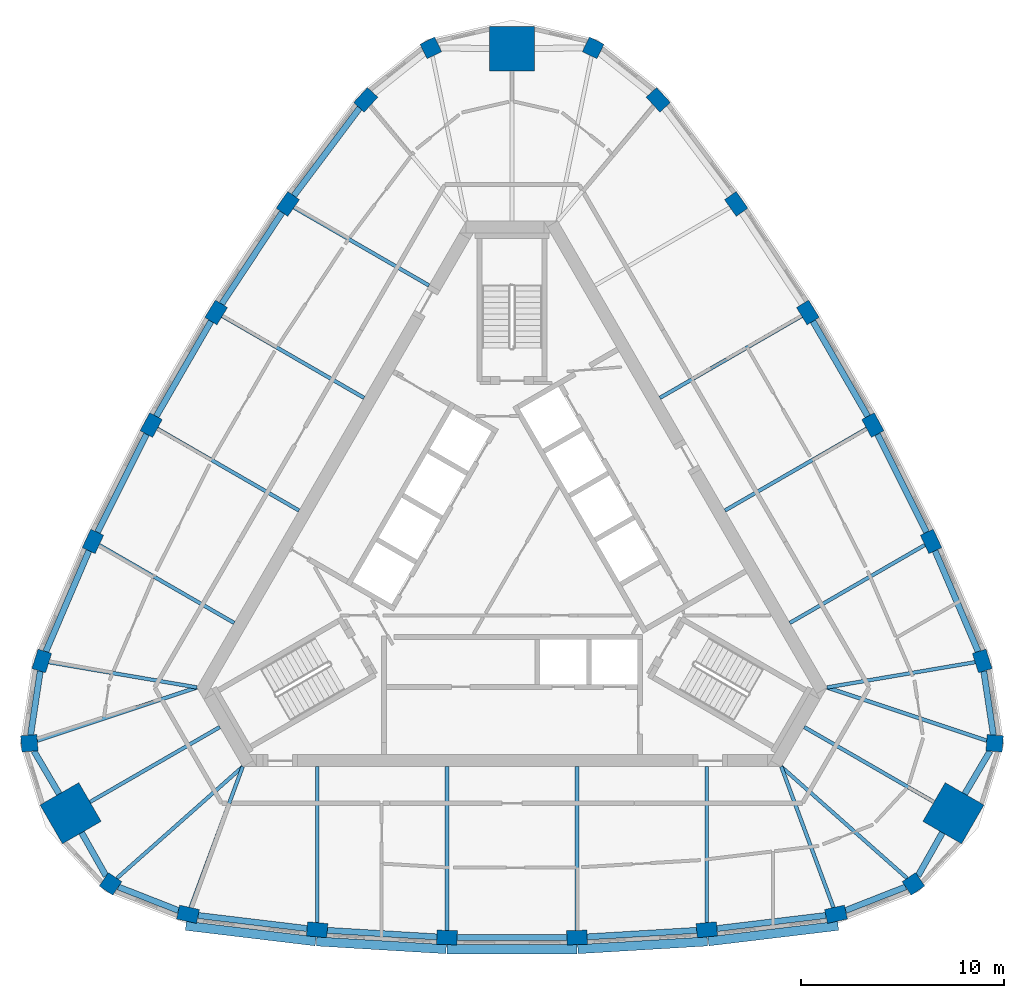
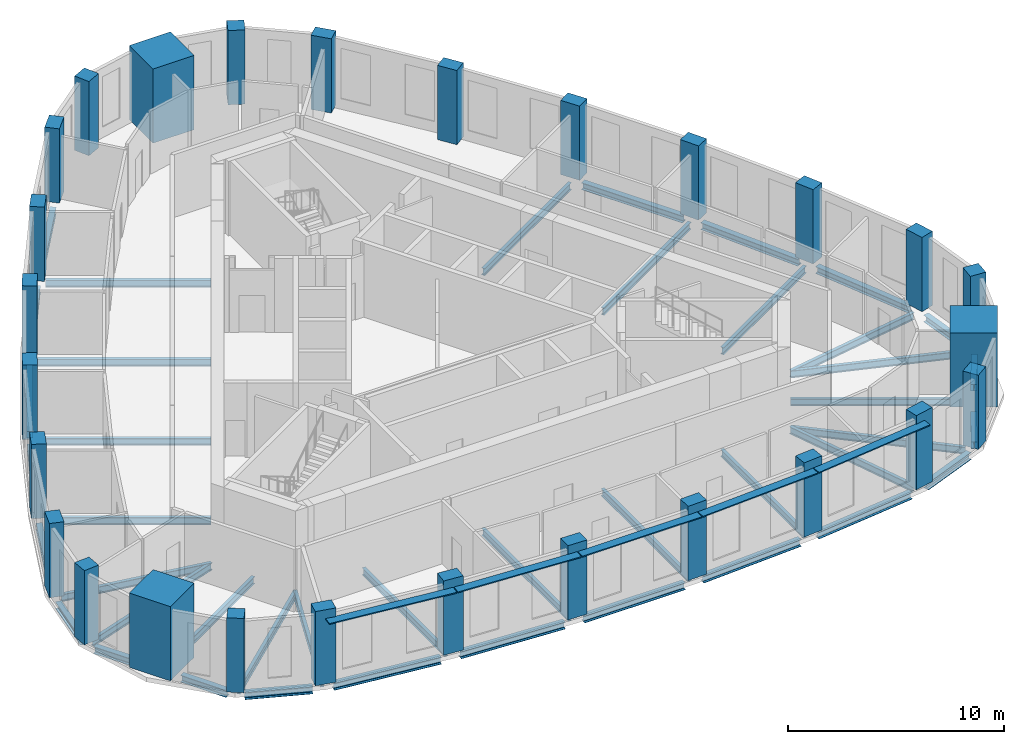
# One storey, part 1 of 10: 42 beams, 27 columns, 5 members.
"""IFC4 building model written with IfcOpenShell, lengths in metres."""

from ifc_helpers import new_model, si_unit, direction, frame, origin, origin_2d, place, context, subcontext, project, spatial, rectangle, i_section, extrude, material, material_profile, profile_set, type_object, element, save


model = new_model("IFC4")

# Units and contexts
model_context = context("Model", 3, precision=1e-05, world=origin(), true_north=direction((0.0, 1.0)))
body_context = subcontext(model_context, "Body", "Model", "MODEL_VIEW")
ifc_project = project(units=[si_unit("LENGTHUNIT", "METRE"), si_unit("AREAUNIT", "SQUARE_METRE"), si_unit("VOLUMEUNIT", "CUBIC_METRE"), si_unit("PLANEANGLEUNIT", "RADIAN"), si_unit("MASSUNIT", "GRAM", prefix="KILO")], contexts=[model_context])

# Site, building, storey
site_placement = place(None, origin())
site = spatial("IfcSite", under=ifc_project, at=site_placement, CompositionType="ELEMENT")
building_placement = place(site_placement, origin())
building = spatial("IfcBuilding", under=site, at=building_placement, Name="Mestral Congress Tower", CompositionType="ELEMENT")
storey_placement = place(building_placement, frame((0.0, 0.0, 288.0)))
storey = spatial("IfcBuildingStorey", under=building, at=storey_placement, Name="L67", CompositionType="ELEMENT", Elevation=288.0)

# Columns
ifc_material_1 = material(Name="Concrete C60/75", Category="concrete")
ifc_material_profile_1 = material_profile(ifc_material_1, rectangle(XDim=1.0, YDim=0.699951171875, at=origin_2d()), Name="RC 1000x700")
ifc_profile_set_1 = profile_set([ifc_material_profile_1], Name="Concrete C60/75")
column_type_1 = type_object("IfcColumnType", Name="Column RC 1000x700 C60/75", PredefinedType="COLUMN", material=ifc_profile_set_1)
for number, where, z_axis, x_axis, name in (
    (1, (-15.940673828125, -17.511962890625, 0.0), (0.0, 0.0, 1.0), (0.976233636503, -0.216720758026, 0.0), "COL-L67-C5-S00"),
    (2, (-9.587158203125, -18.273681640625, 0.0), (0.0, 0.0, 1.0), (0.995997816519, -0.089377567035, 0.0), "COL-L67-C5-S01"),
    (3, (-3.199462890625, -18.6552734375, 0.0), (0.0, 0.0, 1.0), (0.999555031657, -0.029828487872, 0.0), "COL-L67-C5-S02"),
    (4, (3.199462890625, -18.6552734375, 0.0), (0.0, 0.0, 1.0), (0.999555031657, 0.029828487872, 0.0), "COL-L67-C5-S03"),
    (5, (9.587158203125, -18.273681640625, 0.0), (0.0, 0.0, 1.0), (0.995997816519, 0.089377567035, 0.0), "COL-L67-C5-S04"),
    (6, (15.940673828125, -17.511962890625, 0.0), (0.0, 0.0, 1.0), (0.976233636503, 0.216720758026, 0.0), "COL-L67-C5-S05"),
    (7, (23.135986328125, -5.049072265625, 0.0), (0.0, 0.0, 1.0), (-0.300431136274, 0.953803508254, 0.0), "COL-L67-C5-E00"),
    (8, (20.618896484375, 0.833984375, 0.0), (0.0, 0.0, 1.0), (-0.420595664679, 0.907248194737, 0.0), "COL-L67-C5-E01"),
    (9, (17.755615234375, 6.556640625, 0.0), (0.0, 0.0, 1.0), (-0.473945287575, 0.880554293832, 0.0), "COL-L67-C5-E02"),
    (10, (14.55615234375, 12.098388671875, 0.0), (0.0, 0.0, 1.0), (-0.525609744083, 0.850725805959, 0.0), "COL-L67-C5-E03"),
    (11, (11.031982421875, 17.439697265625, 0.0), (0.0, 0.0, 1.0), (-0.57540215184, 0.817870627702, 0.0), "COL-L67-C5-E04"),
    (12, (7.1953125, 22.56103515625, 0.0), (0.0, 0.0, 1.0), (-0.67580250023, 0.737082750228, 0.0), "COL-L67-C5-E05"),
    (13, (-7.1953125, 22.56103515625, 0.0), (0.0, 0.0, 1.0), (-0.67580250023, -0.737082750228, 0.0), "COL-L67-C5-W00"),
    (14, (-11.031982421875, 17.439697265625, 0.0), (0.0, 0.0, 1.0), (-0.57540215184, -0.817870627702, 0.0), "COL-L67-C5-W01"),
    (15, (-14.55615234375, 12.098388671875, 0.0), (0.0, 0.0, 1.0), (-0.525609744083, -0.850725805959, 0.0), "COL-L67-C5-W02"),
    (16, (-17.755615234375, 6.556640625, 0.0), (0.0, 0.0, 1.0), (-0.473945287575, -0.880554293832, 0.0), "COL-L67-C5-W03"),
    (17, (-20.618896484375, 0.833984375, 0.0), (0.0, 0.0, 1.0), (-0.420595664679, -0.907248194737, 0.0), "COL-L67-C5-W04"),
    (18, (-23.135986328125, -5.049072265625, 0.0), (0.0, 0.0, 1.0), (-0.300431136274, -0.953803508254, 0.0), "COL-L67-C5-W05"),
):
    element("IfcColumn", number, at=place(storey_placement, frame(where, z_axis=z_axis, x_axis=x_axis)), inside=storey, type_object=column_type_1, Name=name, PredefinedType="COLUMN", context=body_context, shape_type="SweptSolid", body=[
        extrude(rectangle(XDim=1.0, YDim=0.699951171875, at=origin_2d()), origin(), (0.0, 0.0, 1.0), 4.199951171875),
    ])
ifc_material_profile_2 = material_profile(ifc_material_1, rectangle(XDim=0.800048828125, YDim=0.800048828125, at=origin_2d()), Name="RC 800x800")
ifc_profile_set_2 = profile_set([ifc_material_profile_2], Name="Concrete C60/75")
column_type_2 = type_object("IfcColumnType", Name="Column RC 800x800 C60/75", PredefinedType="COLUMN", material=ifc_profile_set_2)
for number, where, z_axis, x_axis, name in (
    (19, (19.75439453125, -16.0166015625, 0.0), (0.0, 0.0, 1.0), (0.826362775296, 0.563138139008, 0.0), "COL-L67-C5-SE1"),
    (20, (23.748046875, -9.099609375, 0.0), (0.0, 0.0, 1.0), (0.074510546573, 0.997220225652, 0.0), "COL-L67-C5-SE3"),
    (21, (3.993408203125, 25.1162109375, 0.0), (0.0, 0.0, 1.0), (-0.900873321869, 0.434082086644, 0.0), "COL-L67-C5-N1"),
    (22, (-3.993408203125, 25.1162109375, 0.0), (0.0, 0.0, 1.0), (-0.900873321869, -0.434082086644, 0.0), "COL-L67-C5-N3"),
    (23, (-23.748046875, -9.099609375, 0.0), (0.0, 0.0, 1.0), (0.074510546573, -0.997220225652, 0.0), "COL-L67-C5-SW1"),
    (24, (-19.75439453125, -16.0166015625, 0.0), (0.0, 0.0, 1.0), (0.826362775296, -0.563138139008, 0.0), "COL-L67-C5-SW3"),
):
    element("IfcColumn", number, at=place(storey_placement, frame(where, z_axis=z_axis, x_axis=x_axis)), inside=storey, type_object=column_type_2, Name=name, PredefinedType="COLUMN", context=body_context, shape_type="SweptSolid", body=[
        extrude(rectangle(XDim=0.800048828125, YDim=0.800048828125, at=origin_2d()), origin(), (0.0, 0.0, 1.0), 4.199951171875),
    ])
ifc_material_profile_3 = material_profile(ifc_material_1, rectangle(XDim=2.199951171875, YDim=2.199951171875, at=origin_2d()), Name="RC 2200x2200")
ifc_profile_set_3 = profile_set([ifc_material_profile_3], Name="Concrete C60/75")
column_type_3 = type_object("IfcColumnType", Name="Mega column RC 2200x2200 C60/75", PredefinedType="COLUMN", material=ifc_profile_set_3)
for number, where, z_axis, x_axis, name in (
    (25, (21.71826171875, -12.5390625, 0.0), (0.0, 0.0, 1.0), (0.866025403784, -0.5, 0.0), "COL-L67-PY5-SE"),
    (26, (0.0, 25.078125, 0.0), (0.0, 0.0, 1.0), (0.0, 1.0, 0.0), "COL-L67-PY5-N"),
    (27, (-21.71826171875, -12.5390625, 0.0), (0.0, 0.0, 1.0), (-0.866025403784, -0.5, 0.0), "COL-L67-PY5-SW"),
):
    element("IfcColumn", number, at=place(storey_placement, frame(where, z_axis=z_axis, x_axis=x_axis)), inside=storey, type_object=column_type_3, Name=name, PredefinedType="COLUMN", context=body_context, shape_type="SweptSolid", body=[
        extrude(rectangle(XDim=2.199951171875, YDim=2.199951171875, at=origin_2d()), origin(), (0.0, 0.0, 1.0), 4.199951171875),
    ])

# Members
ifc_material_2 = material(Name="Glazed ceramic", Category="masonry")
ifc_material_profile_4 = material_profile(ifc_material_2, rectangle(XDim=0.449951171875, YDim=0.06005859375, at=origin_2d()), Name="Ceramic blade 450 x 60")
ifc_profile_set_4 = profile_set([ifc_material_profile_4], Name="Glazed ceramic")
member_type = type_object("IfcMemberType", Name="Facade sunshade blade 450 x 60", PredefinedType="USERDEFINED", material=ifc_profile_set_4)
member_1_placement = place(storey_placement, frame((-16.04638671875, -18.078369140625, 3.679931640625), z_axis=(0.992890306953, -0.119032929725, 0.0), x_axis=(0.119032929725, 0.992890306953, 0.0)))
element("IfcMember", 28, at=member_1_placement, inside=storey, type_object=member_type, Name="Sunshade F0-00", ObjectType="SUNSHADE", PredefinedType="USERDEFINED", context=body_context, shape_type="SweptSolid", body=[
    extrude(rectangle(XDim=0.449951171875, YDim=0.06005859375, at=origin_2d()), origin(), (0.0, 0.0, 1.0), 6.429931640625),
])
member_2_placement = place(storey_placement, frame((-9.614990234375, -18.84814453125, 3.679931640625), z_axis=(0.998222174469, -0.059602771735, 0.0), x_axis=(0.059602771735, 0.998222174469, 0.0)))
element("IfcMember", 29, at=member_2_placement, inside=storey, type_object=member_type, Name="Sunshade F0-01", ObjectType="SUNSHADE", PredefinedType="USERDEFINED", context=body_context, shape_type="SweptSolid", body=[
    extrude(rectangle(XDim=0.449951171875, YDim=0.06005859375, at=origin_2d()), origin(), (0.0, 0.0, 1.0), 6.385986328125),
])
member_3_placement = place(storey_placement, frame((-3.193115234375, -19.230224609375, 3.679931640625), z_axis=(1.0, 0.0, 0.0), x_axis=(0.0, 1.0, 0.0)))
element("IfcMember", 30, at=member_3_placement, inside=storey, type_object=member_type, Name="Sunshade F0-02", ObjectType="SUNSHADE", PredefinedType="USERDEFINED", context=body_context, shape_type="SweptSolid", body=[
    extrude(rectangle(XDim=0.449951171875, YDim=0.06005859375, at=origin_2d()), origin(), (0.0, 0.0, 1.0), 6.38623046875),
])
member_4_placement = place(storey_placement, frame((3.240478515625, -19.228759765625, 3.679931640625), z_axis=(0.998222174469, 0.059602771735, 0.0), x_axis=(-0.059602771735, 0.998222174469, 0.0)))
element("IfcMember", 31, at=member_4_placement, inside=storey, type_object=member_type, Name="Sunshade F0-03", ObjectType="SUNSHADE", PredefinedType="USERDEFINED", context=body_context, shape_type="SweptSolid", body=[
    extrude(rectangle(XDim=0.449951171875, YDim=0.06005859375, at=origin_2d()), origin(), (0.0, 0.0, 1.0), 6.385986328125),
])
member_5_placement = place(storey_placement, frame((9.662109375, -18.84375, 3.679931640625), z_axis=(0.992890306953, 0.119032929725, 0.0), x_axis=(-0.119032929725, 0.992890306953, 0.0)))
element("IfcMember", 32, at=member_5_placement, inside=storey, type_object=member_type, Name="Sunshade F0-04", ObjectType="SUNSHADE", PredefinedType="USERDEFINED", context=body_context, shape_type="SweptSolid", body=[
    extrude(rectangle(XDim=0.449951171875, YDim=0.06005859375, at=origin_2d()), origin(), (0.0, 0.0, 1.0), 6.429931640625),
])

# Beams
ifc_material_3 = material(Name="Steel S355", Category="steel")
ifc_material_profile_5 = material_profile(ifc_material_3, i_section(OverallWidth=0.179931640625, OverallDepth=0.39990234375, WebThickness=0.008544921875, FlangeThickness=0.013427734375, FilletRadius=0.02099609375, at=origin_2d()), Name="IPE 400")
ifc_profile_set_5 = profile_set([ifc_material_profile_5], Name="Steel S355")
beam_type_1 = type_object("IfcBeamType", Name="Floor beam IPE 400 S355", PredefinedType="BEAM", material=ifc_profile_set_5)
beam_1_placement = place(storey_placement, frame((-15.81787109375, -17.1806640625, -0.449951171875), z_axis=(0.347399345496, 0.937717278687, 0.0), x_axis=(-0.937717278687, 0.347399345496, 0.0)))
element("IfcBeam", 33, at=beam_1_placement, inside=storey, type_object=beam_type_1, Name="BM-L67-RB5-S00", PredefinedType="BEAM", context=body_context, shape_type="SweptSolid", body=[
    extrude(i_section(OverallWidth=0.179931640625, OverallDepth=0.39990234375, WebThickness=0.008544921875, FlangeThickness=0.013427734375, FilletRadius=0.02099609375, at=origin_2d()), origin(), (0.0, 0.0, 1.0), 7.39111328125),
])
beam_2_placement = place(storey_placement, frame((-9.587158203125, -17.92236328125, -0.449951171875), z_axis=(0.0, 1.0, 0.0), x_axis=(-1.0, 0.0, 0.0)))
element("IfcBeam", 34, at=beam_2_placement, inside=storey, type_object=beam_type_1, Name="BM-L67-RB5-S01", PredefinedType="BEAM", context=body_context, shape_type="SweptSolid", body=[
    extrude(i_section(OverallWidth=0.179931640625, OverallDepth=0.39990234375, WebThickness=0.008544921875, FlangeThickness=0.013427734375, FilletRadius=0.02099609375, at=origin_2d()), origin(), (0.0, 0.0, 1.0), 7.67236328125),
])
for number, where, z_axis, x_axis, name in (
    (35, (-3.199462890625, -18.304931640625, -0.449951171875), (0.0, 1.0, 0.0), (-1.0, 0.0, 0.0), "BM-L67-RB5-S02"),
    (36, (3.199462890625, -18.304931640625, -0.449951171875), (0.0, 1.0, 0.0), (-1.0, 0.0, 0.0), "BM-L67-RB5-S03"),
):
    element("IfcBeam", number, at=place(storey_placement, frame(where, z_axis=z_axis, x_axis=x_axis)), inside=storey, type_object=beam_type_1, Name=name, PredefinedType="BEAM", context=body_context, shape_type="SweptSolid", body=[
        extrude(i_section(OverallWidth=0.179931640625, OverallDepth=0.39990234375, WebThickness=0.008544921875, FlangeThickness=0.013427734375, FilletRadius=0.02099609375, at=origin_2d()), origin(), (0.0, 0.0, 1.0), 8.054931640625),
    ])
beam_3_placement = place(storey_placement, frame((9.587158203125, -17.92236328125, -0.449951171875), z_axis=(0.0, 1.0, 0.0), x_axis=(-1.0, 0.0, 0.0)))
element("IfcBeam", 37, at=beam_3_placement, inside=storey, type_object=beam_type_1, Name="BM-L67-RB5-S04", PredefinedType="BEAM", context=body_context, shape_type="SweptSolid", body=[
    extrude(i_section(OverallWidth=0.179931640625, OverallDepth=0.39990234375, WebThickness=0.008544921875, FlangeThickness=0.013427734375, FilletRadius=0.02099609375, at=origin_2d()), origin(), (0.0, 0.0, 1.0), 7.67236328125),
])
beam_4_placement = place(storey_placement, frame((15.81787109375, -17.1806640625, -0.449951171875), z_axis=(-0.347399345496, 0.937717278687, 0.0), x_axis=(-0.937717278687, -0.347399345496, 0.0)))
element("IfcBeam", 38, at=beam_4_placement, inside=storey, type_object=beam_type_1, Name="BM-L67-RB5-S05", PredefinedType="BEAM", context=body_context, shape_type="SweptSolid", body=[
    extrude(i_section(OverallWidth=0.179931640625, OverallDepth=0.39990234375, WebThickness=0.008544921875, FlangeThickness=0.013427734375, FilletRadius=0.02099609375, at=origin_2d()), origin(), (0.0, 0.0, 1.0), 7.39111328125),
])
beam_5_placement = place(storey_placement, frame((19.44580078125, -15.742919921875, -0.449951171875), z_axis=(-0.74826277439, 0.663402457383, 0.0), x_axis=(-0.663402457383, -0.74826277439, 0.0)))
element("IfcBeam", 39, at=beam_5_placement, inside=storey, type_object=beam_type_1, Name="BM-L67-RB5-SE1", PredefinedType="BEAM", context=body_context, shape_type="SweptSolid", body=[
    extrude(i_section(OverallWidth=0.179931640625, OverallDepth=0.39990234375, WebThickness=0.008544921875, FlangeThickness=0.013427734375, FilletRadius=0.02099609375, at=origin_2d()), origin(), (0.0, 0.0, 1.0), 8.280029296875),
])
beam_6_placement = place(storey_placement, frame((20.765625, -11.989013671875, -0.449951171875), z_axis=(-0.866031296205, 0.499989793889, 0.0), x_axis=(-0.499989793889, -0.866031296205, 0.0)))
element("IfcBeam", 40, at=beam_6_placement, inside=storey, type_object=beam_type_1, Name="BM-L67-RB5-SE", PredefinedType="BEAM", context=body_context, shape_type="SweptSolid", body=[
    extrude(i_section(OverallWidth=0.179931640625, OverallDepth=0.39990234375, WebThickness=0.008544921875, FlangeThickness=0.013427734375, FilletRadius=0.02099609375, at=origin_2d()), origin(), (0.0, 0.0, 1.0), 7.378173828125),
])
beam_7_placement = place(storey_placement, frame((23.356689453125, -8.968994140625, -0.449951171875), z_axis=(-0.948659706446, 0.316298532031, 0.0), x_axis=(-0.316298532031, -0.948659706446, 0.0)))
element("IfcBeam", 41, at=beam_7_placement, inside=storey, type_object=beam_type_1, Name="BM-L67-RB5-SE3", PredefinedType="BEAM", context=body_context, shape_type="SweptSolid", body=[
    extrude(i_section(OverallWidth=0.179931640625, OverallDepth=0.39990234375, WebThickness=0.008544921875, FlangeThickness=0.013427734375, FilletRadius=0.02099609375, at=origin_2d()), origin(), (0.0, 0.0, 1.0), 8.27978515625),
])
beam_8_placement = place(storey_placement, frame((22.787841796875, -5.1083984375, -0.449951171875), z_axis=(-0.985786503242, -0.168002886958, 0.0), x_axis=(0.168002886958, -0.985786503242, 0.0)))
element("IfcBeam", 42, at=beam_8_placement, inside=storey, type_object=beam_type_1, Name="BM-L67-RB5-E00", PredefinedType="BEAM", context=body_context, shape_type="SweptSolid", body=[
    extrude(i_section(OverallWidth=0.179931640625, OverallDepth=0.39990234375, WebThickness=0.008544921875, FlangeThickness=0.013427734375, FilletRadius=0.02099609375, at=origin_2d()), origin(), (0.0, 0.0, 1.0), 7.390869140625),
])
beam_9_placement = place(storey_placement, frame((20.314697265625, 0.658447265625, -0.449951171875), z_axis=(-0.866019720907, -0.500009842903, 0.0), x_axis=(0.500009842903, -0.866019720907, 0.0)))
element("IfcBeam", 43, at=beam_9_placement, inside=storey, type_object=beam_type_1, Name="BM-L67-RB5-E01", PredefinedType="BEAM", context=body_context, shape_type="SweptSolid", body=[
    extrude(i_section(OverallWidth=0.179931640625, OverallDepth=0.39990234375, WebThickness=0.008544921875, FlangeThickness=0.013427734375, FilletRadius=0.02099609375, at=origin_2d()), origin(), (0.0, 0.0, 1.0), 7.672119140625),
])
for number, where, z_axis, x_axis, name in (
    (44, (17.452392578125, 6.381591796875, -0.449951171875), (-0.866020537834, -0.500008427979, 0.0), (0.500008427979, -0.866020537834, 0.0), "BM-L67-RB5-E02"),
    (45, (14.2529296875, 11.92333984375, -0.449951171875), (-0.866033662086, -0.499985695929, 0.0), (0.499985695929, -0.866033662086, 0.0), "BM-L67-RB5-E03"),
):
    element("IfcBeam", number, at=place(storey_placement, frame(where, z_axis=z_axis, x_axis=x_axis)), inside=storey, type_object=beam_type_1, Name=name, PredefinedType="BEAM", context=body_context, shape_type="SweptSolid", body=[
        extrude(i_section(OverallWidth=0.179931640625, OverallDepth=0.39990234375, WebThickness=0.008544921875, FlangeThickness=0.013427734375, FilletRadius=0.02099609375, at=origin_2d()), origin(), (0.0, 0.0, 1.0), 8.054931640625),
    ])
beam_10_placement = place(storey_placement, frame((-10.7275390625, 17.263916015625, -0.449951171875), z_axis=(0.866019720907, -0.500009842903, 0.0), x_axis=(0.500009842903, 0.866019720907, 0.0)))
element("IfcBeam", 46, at=beam_10_placement, inside=storey, type_object=beam_type_1, Name="BM-L67-RB5-W01", PredefinedType="BEAM", context=body_context, shape_type="SweptSolid", body=[
    extrude(i_section(OverallWidth=0.179931640625, OverallDepth=0.39990234375, WebThickness=0.008544921875, FlangeThickness=0.013427734375, FilletRadius=0.02099609375, at=origin_2d()), origin(), (0.0, 0.0, 1.0), 7.672119140625),
])
for number, where, z_axis, x_axis, name in (
    (47, (-14.2529296875, 11.92333984375, -0.449951171875), (0.866033662086, -0.499985695929, 0.0), (0.499985695929, 0.866033662086, 0.0), "BM-L67-RB5-W02"),
    (48, (-17.452392578125, 6.381591796875, -0.449951171875), (0.866020537834, -0.500008427979, 0.0), (0.500008427979, 0.866020537834, 0.0), "BM-L67-RB5-W03"),
):
    element("IfcBeam", number, at=place(storey_placement, frame(where, z_axis=z_axis, x_axis=x_axis)), inside=storey, type_object=beam_type_1, Name=name, PredefinedType="BEAM", context=body_context, shape_type="SweptSolid", body=[
        extrude(i_section(OverallWidth=0.179931640625, OverallDepth=0.39990234375, WebThickness=0.008544921875, FlangeThickness=0.013427734375, FilletRadius=0.02099609375, at=origin_2d()), origin(), (0.0, 0.0, 1.0), 8.054931640625),
    ])
beam_11_placement = place(storey_placement, frame((-20.314697265625, 0.658447265625, -0.449951171875), z_axis=(0.866019720907, -0.500009842903, 0.0), x_axis=(0.500009842903, 0.866019720907, 0.0)))
element("IfcBeam", 49, at=beam_11_placement, inside=storey, type_object=beam_type_1, Name="BM-L67-RB5-W04", PredefinedType="BEAM", context=body_context, shape_type="SweptSolid", body=[
    extrude(i_section(OverallWidth=0.179931640625, OverallDepth=0.39990234375, WebThickness=0.008544921875, FlangeThickness=0.013427734375, FilletRadius=0.02099609375, at=origin_2d()), origin(), (0.0, 0.0, 1.0), 7.672119140625),
])
beam_12_placement = place(storey_placement, frame((-22.787841796875, -5.1083984375, -0.449951171875), z_axis=(0.985786503242, -0.168002886958, 0.0), x_axis=(0.168002886958, 0.985786503242, 0.0)))
element("IfcBeam", 50, at=beam_12_placement, inside=storey, type_object=beam_type_1, Name="BM-L67-RB5-W05", PredefinedType="BEAM", context=body_context, shape_type="SweptSolid", body=[
    extrude(i_section(OverallWidth=0.179931640625, OverallDepth=0.39990234375, WebThickness=0.008544921875, FlangeThickness=0.013427734375, FilletRadius=0.02099609375, at=origin_2d()), origin(), (0.0, 0.0, 1.0), 7.390869140625),
])
beam_13_placement = place(storey_placement, frame((-23.356689453125, -8.968994140625, -0.449951171875), z_axis=(0.948659706446, 0.316298532031, 0.0), x_axis=(-0.316298532031, 0.948659706446, 0.0)))
element("IfcBeam", 51, at=beam_13_placement, inside=storey, type_object=beam_type_1, Name="BM-L67-RB5-SW1", PredefinedType="BEAM", context=body_context, shape_type="SweptSolid", body=[
    extrude(i_section(OverallWidth=0.179931640625, OverallDepth=0.39990234375, WebThickness=0.008544921875, FlangeThickness=0.013427734375, FilletRadius=0.02099609375, at=origin_2d()), origin(), (0.0, 0.0, 1.0), 8.27978515625),
])
beam_14_placement = place(storey_placement, frame((-20.765625, -11.989013671875, -0.449951171875), z_axis=(0.866031296205, 0.499989793889, 0.0), x_axis=(-0.499989793889, 0.866031296205, 0.0)))
element("IfcBeam", 52, at=beam_14_placement, inside=storey, type_object=beam_type_1, Name="BM-L67-RB5-SW", PredefinedType="BEAM", context=body_context, shape_type="SweptSolid", body=[
    extrude(i_section(OverallWidth=0.179931640625, OverallDepth=0.39990234375, WebThickness=0.008544921875, FlangeThickness=0.013427734375, FilletRadius=0.02099609375, at=origin_2d()), origin(), (0.0, 0.0, 1.0), 7.378173828125),
])
beam_15_placement = place(storey_placement, frame((-19.44580078125, -15.742919921875, -0.449951171875), z_axis=(0.74826277439, 0.663402457383, 0.0), x_axis=(-0.663402457383, 0.74826277439, 0.0)))
element("IfcBeam", 53, at=beam_15_placement, inside=storey, type_object=beam_type_1, Name="BM-L67-RB5-SW3", PredefinedType="BEAM", context=body_context, shape_type="SweptSolid", body=[
    extrude(i_section(OverallWidth=0.179931640625, OverallDepth=0.39990234375, WebThickness=0.008544921875, FlangeThickness=0.013427734375, FilletRadius=0.02099609375, at=origin_2d()), origin(), (0.0, 0.0, 1.0), 8.280029296875),
])
ifc_material_profile_6 = material_profile(ifc_material_3, i_section(OverallWidth=0.300048828125, OverallDepth=0.389892578125, WebThickness=0.010986328125, FlangeThickness=0.01904296875, FilletRadius=0.027099609375, at=origin_2d()), Name="HEA 400")
ifc_profile_set_6 = profile_set([ifc_material_profile_6], Name="Steel S355")
beam_type_2 = type_object("IfcBeamType", Name="Spandrel beam HEA 400 S355", PredefinedType="BEAM", material=ifc_profile_set_6)
beam_16_placement = place(storey_placement, frame((-15.44189453125, -17.57177734375, -0.445068359375), z_axis=(0.992890319222, -0.119032827389, 0.0), x_axis=(0.119032827389, 0.992890319222, 0.0)))
element("IfcBeam", 54, at=beam_16_placement, inside=storey, type_object=beam_type_2, Name="SP-L67-SB5-S00", PredefinedType="BEAM", context=body_context, shape_type="SweptSolid", body=[
    extrude(i_section(OverallWidth=0.300048828125, OverallDepth=0.389892578125, WebThickness=0.010986328125, FlangeThickness=0.01904296875, FilletRadius=0.027099609375, at=origin_2d()), origin(), (0.0, 0.0, 1.0), 5.396240234375),
])
beam_17_placement = place(storey_placement, frame((-9.087890625, -18.303466796875, -0.445068359375), z_axis=(0.998219522722, -0.059647166371, 0.0), x_axis=(0.059647166371, 0.998219522722, 0.0)))
element("IfcBeam", 55, at=beam_17_placement, inside=storey, type_object=beam_type_2, Name="SP-L67-SB5-S01", PredefinedType="BEAM", context=body_context, shape_type="SweptSolid", body=[
    extrude(i_section(OverallWidth=0.300048828125, OverallDepth=0.389892578125, WebThickness=0.010986328125, FlangeThickness=0.01904296875, FilletRadius=0.027099609375, at=origin_2d()), origin(), (0.0, 0.0, 1.0), 5.398681640625),
])
beam_18_placement = place(storey_placement, frame((-2.69921875, -18.6552734375, -0.445068359375), z_axis=(1.0, 0.0, 0.0), x_axis=(0.0, 1.0, 0.0)))
element("IfcBeam", 56, at=beam_18_placement, inside=storey, type_object=beam_type_2, Name="SP-L67-SB5-S02", PredefinedType="BEAM", context=body_context, shape_type="SweptSolid", body=[
    extrude(i_section(OverallWidth=0.300048828125, OverallDepth=0.389892578125, WebThickness=0.010986328125, FlangeThickness=0.01904296875, FilletRadius=0.027099609375, at=origin_2d()), origin(), (0.0, 0.0, 1.0), 5.3984375),
])
beam_19_placement = place(storey_placement, frame((3.69873046875, -18.62548828125, -0.445068359375), z_axis=(0.998219522722, 0.059647166371, 0.0), x_axis=(-0.059647166371, 0.998219522722, 0.0)))
element("IfcBeam", 57, at=beam_19_placement, inside=storey, type_object=beam_type_2, Name="SP-L67-SB5-S03", PredefinedType="BEAM", context=body_context, shape_type="SweptSolid", body=[
    extrude(i_section(OverallWidth=0.300048828125, OverallDepth=0.389892578125, WebThickness=0.010986328125, FlangeThickness=0.01904296875, FilletRadius=0.027099609375, at=origin_2d()), origin(), (0.0, 0.0, 1.0), 5.398681640625),
])
beam_20_placement = place(storey_placement, frame((10.083984375, -18.214111328125, -0.445068359375), z_axis=(0.992890319222, 0.119032827389, 0.0), x_axis=(-0.119032827389, 0.992890319222, 0.0)))
element("IfcBeam", 58, at=beam_20_placement, inside=storey, type_object=beam_type_2, Name="SP-L67-SB5-S04", PredefinedType="BEAM", context=body_context, shape_type="SweptSolid", body=[
    extrude(i_section(OverallWidth=0.300048828125, OverallDepth=0.389892578125, WebThickness=0.010986328125, FlangeThickness=0.01904296875, FilletRadius=0.027099609375, at=origin_2d()), origin(), (0.0, 0.0, 1.0), 5.396240234375),
])
beam_21_placement = place(storey_placement, frame((16.411865234375, -17.3271484375, -0.445068359375), z_axis=(0.930980873283, 0.365067957485, 0.0), x_axis=(-0.365067957485, 0.930980873283, 0.0)))
element("IfcBeam", 59, at=beam_21_placement, inside=storey, type_object=beam_type_2, Name="SP-L67-SB5-S05", PredefinedType="BEAM", context=body_context, shape_type="SweptSolid", body=[
    extrude(i_section(OverallWidth=0.300048828125, OverallDepth=0.389892578125, WebThickness=0.010986328125, FlangeThickness=0.01904296875, FilletRadius=0.027099609375, at=origin_2d()), origin(), (0.0, 0.0, 1.0), 3.179931640625),
])
beam_22_placement = place(storey_placement, frame((19.9736328125, -15.628173828125, -0.445068359375), z_axis=(0.491728558518, 0.870748542771, 0.0), x_axis=(-0.870748542771, 0.491728558518, 0.0)))
element("IfcBeam", 60, at=beam_22_placement, inside=storey, type_object=beam_type_2, Name="SP-L67-SB5-SE1", PredefinedType="BEAM", context=body_context, shape_type="SweptSolid", body=[
    extrude(i_section(OverallWidth=0.300048828125, OverallDepth=0.389892578125, WebThickness=0.010986328125, FlangeThickness=0.01904296875, FilletRadius=0.027099609375, at=origin_2d()), origin(), (0.0, 0.0, 1.0), 2.44775390625),
])
beam_23_placement = place(storey_placement, frame((22.27734375, -11.591552734375, -0.445068359375), z_axis=(0.508218412694, 0.861228218882, 0.0), x_axis=(-0.861228218882, 0.508218412694, 0.0)))
element("IfcBeam", 61, at=beam_23_placement, inside=storey, type_object=beam_type_2, Name="SP-L67-SB5-SE", PredefinedType="BEAM", context=body_context, shape_type="SweptSolid", body=[
    extrude(i_section(OverallWidth=0.300048828125, OverallDepth=0.389892578125, WebThickness=0.010986328125, FlangeThickness=0.01904296875, FilletRadius=0.027099609375, at=origin_2d()), origin(), (0.0, 0.0, 1.0), 2.447509765625),
])
beam_24_placement = place(storey_placement, frame((23.686767578125, -8.69384765625, -0.445068359375), z_axis=(-0.149402818736, 0.98877641444, 0.0), x_axis=(-0.98877641444, -0.149402818736, 0.0)))
element("IfcBeam", 62, at=beam_24_placement, inside=storey, type_object=beam_type_2, Name="SP-L67-SB5-SE3", PredefinedType="BEAM", context=body_context, shape_type="SweptSolid", body=[
    extrude(i_section(OverallWidth=0.300048828125, OverallDepth=0.389892578125, WebThickness=0.010986328125, FlangeThickness=0.01904296875, FilletRadius=0.027099609375, at=origin_2d()), origin(), (0.0, 0.0, 1.0), 3.179931640625),
])
beam_25_placement = place(storey_placement, frame((22.9384765625, -4.587158203125, -0.445068359375), z_axis=(-0.393367759324, 0.919381208164, 0.0), x_axis=(-0.919381208164, -0.393367759324, 0.0)))
element("IfcBeam", 63, at=beam_25_placement, inside=storey, type_object=beam_type_2, Name="SP-L67-SB5-E00", PredefinedType="BEAM", context=body_context, shape_type="SweptSolid", body=[
    extrude(i_section(OverallWidth=0.300048828125, OverallDepth=0.389892578125, WebThickness=0.010986328125, FlangeThickness=0.01904296875, FilletRadius=0.027099609375, at=origin_2d()), origin(), (0.0, 0.0, 1.0), 5.396484375),
])
beam_26_placement = place(storey_placement, frame((20.395263671875, 1.281494140625, -0.445068359375), z_axis=(-0.44748491494, 0.894291479832, 0.0), x_axis=(-0.894291479832, -0.44748491494, 0.0)))
element("IfcBeam", 64, at=beam_26_placement, inside=storey, type_object=beam_type_2, Name="SP-L67-SB5-E01", PredefinedType="BEAM", context=body_context, shape_type="SweptSolid", body=[
    extrude(i_section(OverallWidth=0.300048828125, OverallDepth=0.389892578125, WebThickness=0.010986328125, FlangeThickness=0.01904296875, FilletRadius=0.027099609375, at=origin_2d()), origin(), (0.0, 0.0, 1.0), 5.3984375),
])
beam_27_placement = place(storey_placement, frame((17.505615234375, 6.989990234375, -0.445068359375), z_axis=(-0.500025177812, 0.86601086688, 0.0), x_axis=(-0.86601086688, -0.500025177812, 0.0)))
element("IfcBeam", 65, at=beam_27_placement, inside=storey, type_object=beam_type_2, Name="SP-L67-SB5-E02", PredefinedType="BEAM", context=body_context, shape_type="SweptSolid", body=[
    extrude(i_section(OverallWidth=0.300048828125, OverallDepth=0.389892578125, WebThickness=0.010986328125, FlangeThickness=0.01904296875, FilletRadius=0.027099609375, at=origin_2d()), origin(), (0.0, 0.0, 1.0), 5.398681640625),
])
beam_28_placement = place(storey_placement, frame((-7.49658203125, 22.158935546875, -0.445068359375), z_axis=(-0.599529393236, -0.800352738888, 0.0), x_axis=(0.800352738888, -0.599529393236, 0.0)))
element("IfcBeam", 66, at=beam_28_placement, inside=storey, type_object=beam_type_2, Name="SP-L67-SB5-W00", PredefinedType="BEAM", context=body_context, shape_type="SweptSolid", body=[
    extrude(i_section(OverallWidth=0.300048828125, OverallDepth=0.389892578125, WebThickness=0.010986328125, FlangeThickness=0.01904296875, FilletRadius=0.027099609375, at=origin_2d()), origin(), (0.0, 0.0, 1.0), 5.396484375),
])
beam_29_placement = place(storey_placement, frame((-11.307373046875, 17.02197265625, -0.445068359375), z_axis=(-0.550748957655, -0.83467094453, 0.0), x_axis=(0.83467094453, -0.550748957655, 0.0)))
element("IfcBeam", 67, at=beam_29_placement, inside=storey, type_object=beam_type_2, Name="SP-L67-SB5-W01", PredefinedType="BEAM", context=body_context, shape_type="SweptSolid", body=[
    extrude(i_section(OverallWidth=0.300048828125, OverallDepth=0.389892578125, WebThickness=0.010986328125, FlangeThickness=0.01904296875, FilletRadius=0.027099609375, at=origin_2d()), origin(), (0.0, 0.0, 1.0), 5.3984375),
])
beam_30_placement = place(storey_placement, frame((-14.80615234375, 11.665283203125, -0.445068359375), z_axis=(-0.500025177812, -0.86601086688, 0.0), x_axis=(0.86601086688, -0.500025177812, 0.0)))
element("IfcBeam", 68, at=beam_30_placement, inside=storey, type_object=beam_type_2, Name="SP-L67-SB5-W02", PredefinedType="BEAM", context=body_context, shape_type="SweptSolid", body=[
    extrude(i_section(OverallWidth=0.300048828125, OverallDepth=0.389892578125, WebThickness=0.010986328125, FlangeThickness=0.01904296875, FilletRadius=0.027099609375, at=origin_2d()), origin(), (0.0, 0.0, 1.0), 5.398681640625),
])
beam_31_placement = place(storey_placement, frame((-17.9794921875, 6.109375, -0.445068359375), z_axis=(-0.44748491494, -0.894291479832, 0.0), x_axis=(0.894291479832, -0.44748491494, 0.0)))
element("IfcBeam", 69, at=beam_31_placement, inside=storey, type_object=beam_type_2, Name="SP-L67-SB5-W03", PredefinedType="BEAM", context=body_context, shape_type="SweptSolid", body=[
    extrude(i_section(OverallWidth=0.300048828125, OverallDepth=0.389892578125, WebThickness=0.010986328125, FlangeThickness=0.01904296875, FilletRadius=0.027099609375, at=origin_2d()), origin(), (0.0, 0.0, 1.0), 5.3984375),
])
beam_32_placement = place(storey_placement, frame((-20.815673828125, 0.374267578125, -0.445068359375), z_axis=(-0.393367759324, -0.919381208164, 0.0), x_axis=(0.919381208164, -0.393367759324, 0.0)))
element("IfcBeam", 70, at=beam_32_placement, inside=storey, type_object=beam_type_2, Name="SP-L67-SB5-W04", PredefinedType="BEAM", context=body_context, shape_type="SweptSolid", body=[
    extrude(i_section(OverallWidth=0.300048828125, OverallDepth=0.389892578125, WebThickness=0.010986328125, FlangeThickness=0.01904296875, FilletRadius=0.027099609375, at=origin_2d()), origin(), (0.0, 0.0, 1.0), 5.396484375),
])
beam_33_placement = place(storey_placement, frame((-23.211669921875, -5.549560546875, -0.445068359375), z_axis=(-0.149402818736, -0.98877641444, 0.0), x_axis=(0.98877641444, -0.149402818736, 0.0)))
element("IfcBeam", 71, at=beam_33_placement, inside=storey, type_object=beam_type_2, Name="SP-L67-SB5-W05", PredefinedType="BEAM", context=body_context, shape_type="SweptSolid", body=[
    extrude(i_section(OverallWidth=0.300048828125, OverallDepth=0.389892578125, WebThickness=0.010986328125, FlangeThickness=0.01904296875, FilletRadius=0.027099609375, at=origin_2d()), origin(), (0.0, 0.0, 1.0), 3.179931640625),
])
beam_34_placement = place(storey_placement, frame((-23.521240234375, -9.483642578125, -0.445068359375), z_axis=(0.508218412694, -0.861228218882, 0.0), x_axis=(0.861228218882, 0.508218412694, 0.0)))
element("IfcBeam", 72, at=beam_34_placement, inside=storey, type_object=beam_type_2, Name="SP-L67-SB5-SW1", PredefinedType="BEAM", context=body_context, shape_type="SweptSolid", body=[
    extrude(i_section(OverallWidth=0.300048828125, OverallDepth=0.389892578125, WebThickness=0.010986328125, FlangeThickness=0.01904296875, FilletRadius=0.027099609375, at=origin_2d()), origin(), (0.0, 0.0, 1.0), 2.447509765625),
])
beam_35_placement = place(storey_placement, frame((-21.17724609375, -13.496826171875, -0.445068359375), z_axis=(0.491728558518, -0.870748542771, 0.0), x_axis=(0.870748542771, 0.491728558518, 0.0)))
element("IfcBeam", 73, at=beam_35_placement, inside=storey, type_object=beam_type_2, Name="SP-L67-SB5-SW", PredefinedType="BEAM", context=body_context, shape_type="SweptSolid", body=[
    extrude(i_section(OverallWidth=0.300048828125, OverallDepth=0.389892578125, WebThickness=0.010986328125, FlangeThickness=0.01904296875, FilletRadius=0.027099609375, at=origin_2d()), origin(), (0.0, 0.0, 1.0), 2.44775390625),
])
beam_36_placement = place(storey_placement, frame((-19.372314453125, -16.166259765625, -0.445068359375), z_axis=(0.930980873283, -0.365067957485, 0.0), x_axis=(0.365067957485, 0.930980873283, 0.0)))
element("IfcBeam", 74, at=beam_36_placement, inside=storey, type_object=beam_type_2, Name="SP-L67-SB5-SW3", PredefinedType="BEAM", context=body_context, shape_type="SweptSolid", body=[
    extrude(i_section(OverallWidth=0.300048828125, OverallDepth=0.389892578125, WebThickness=0.010986328125, FlangeThickness=0.01904296875, FilletRadius=0.027099609375, at=origin_2d()), origin(), (0.0, 0.0, 1.0), 3.179931640625),
])

save(model, "model.ifc")
